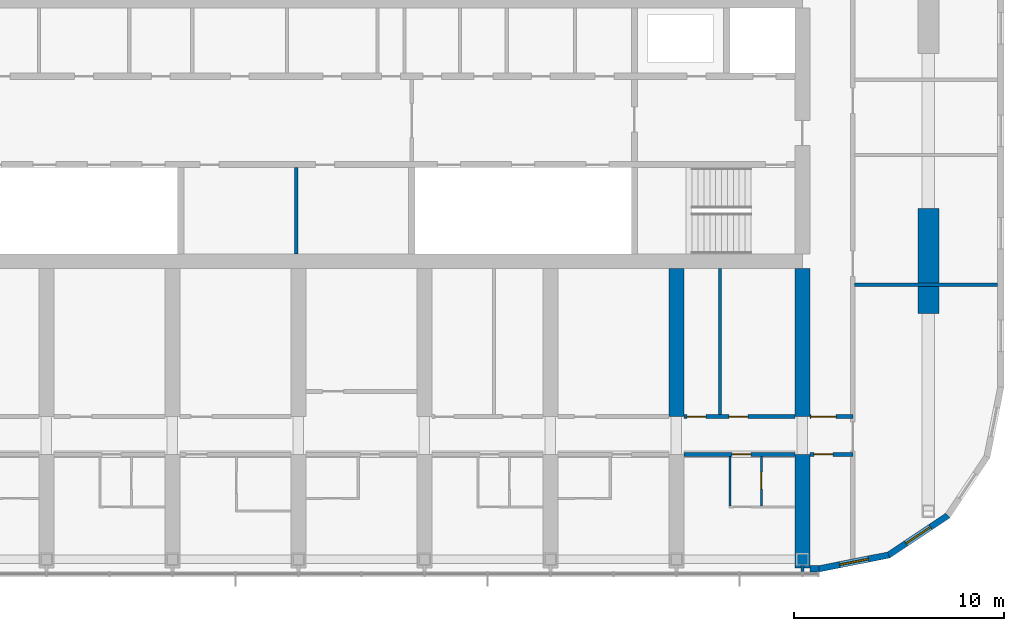
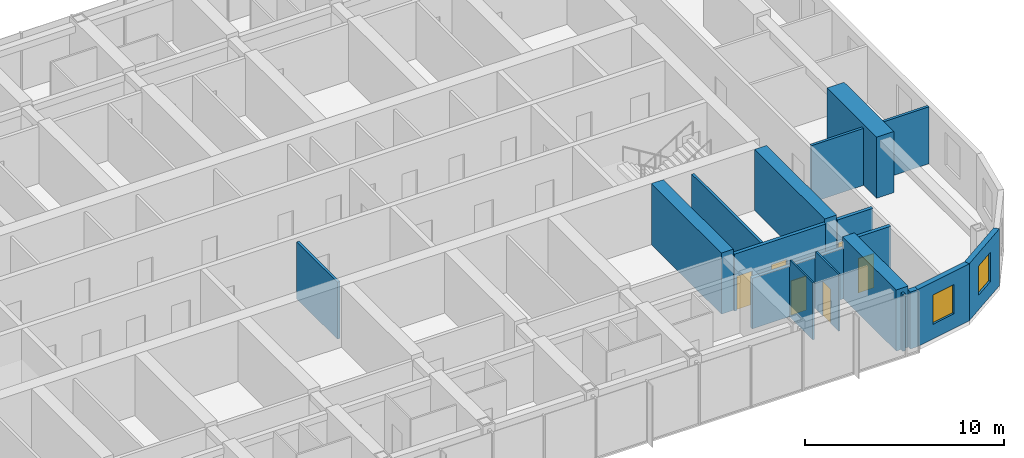
# One storey, part 13 of 23: 17 walls, 6 doors, 2 windows, 8 openings.
"""IFC4 building model written with IfcOpenShell, lengths in metres."""

from ifc_helpers import new_model, si_unit, direction, frame, frame_2d, origin, place, context, subcontext, project, spatial, polyline, rectangle, outline, extrude, material, layer, layer_set, type_object, element, fill, save


model = new_model("IFC4")

# Units and contexts
model_context = context("Model", 3, precision=1e-05, world=origin(), true_north=direction((0.0, 1.0)))
body_context = subcontext(model_context, "Body", "Model", "MODEL_VIEW")
ifc_project = project(units=[si_unit("LENGTHUNIT", "METRE"), si_unit("AREAUNIT", "SQUARE_METRE"), si_unit("VOLUMEUNIT", "CUBIC_METRE"), si_unit("PLANEANGLEUNIT", "RADIAN"), si_unit("MASSUNIT", "GRAM", prefix="KILO")], contexts=[model_context])

# Site, building, storey
site_placement = place(None, origin())
site = spatial("IfcSite", under=ifc_project, at=site_placement, CompositionType="ELEMENT")
building_placement = place(site_placement, origin())
building = spatial("IfcBuilding", under=site, at=building_placement, Name="Orbita Commons", CompositionType="ELEMENT")
storey_placement = place(building_placement, frame((0.0, 0.0, 224.050048828125)))
storey = spatial("IfcBuildingStorey", under=building, at=storey_placement, Name="L55", CompositionType="ELEMENT", Elevation=224.050048828125)

# Wall
ifc_material_1 = material(Name="Concrete blockwork", Category="masonry")
ifc_layer_1 = layer(ifc_material_1, 0.14990234375)
ifc_layer_set_1 = layer_set([ifc_layer_1], Name="Concrete blockwork")
wall_type_1 = type_object("IfcWallType", Name="Core partition 150 blockwork", PredefinedType="SOLIDWALL", material=ifc_layer_set_1)
wall_1_placement = place(storey_placement, frame((41.89990234375, 26.14990234375, 0.0), z_axis=(0.0, 0.0, 1.0), x_axis=(0.0, 1.0, 0.0)))
element("IfcWall", 1, at=wall_1_placement, inside=storey, type_object=wall_type_1, Name="Core partition 150 blockwork L55", PredefinedType="SOLIDWALL", context=body_context, shape_type="SweptSolid", body=[
    extrude(rectangle(XDim=4.10009765625, YDim=0.14990234375, at=frame_2d((2.050048828125, 0.0))), origin(), (0.0, 0.0, 1.0), 3.5),
])

# Wall, opening, door
ifc_material_2 = material(Name="Concrete blockwork", Category="masonry")
ifc_layer_2 = layer(ifc_material_2, 0.199951171875)
ifc_layer_set_2 = layer_set([ifc_layer_2], Name="Concrete blockwork")
wall_type_2 = type_object("IfcWallType", Name="Corridor wall 200 blockwork", PredefinedType="SOLIDWALL", material=ifc_layer_set_2)
wall_2_placement = place(storey_placement, frame((60.35009765625, 16.60009765625, 0.0), z_axis=(0.0, 0.0, 1.0), x_axis=(1.0, 0.0, 0.0)))
wall_2 = element("IfcWall", 2, at=wall_2_placement, inside=storey, type_object=wall_type_2, Name="Corridor wall 200 blockwork L55", PredefinedType="SOLIDWALL", context=body_context, shape_type="SweptSolid", body=[
    extrude(outline(polyline([(0.0, 0.0), (5.2998046875, 0.0), (5.300048828125, 3.099853515625), (0.0, 3.099853515625), (0.0, 0.0)])), frame((0.0, 0.10009765625, 0.0), z_axis=(0.0, -1.0, 0.0), x_axis=(1.0, 0.0, 0.0)), (0.0, 0.0, 1.0), 0.199951171875),
])
opening_1_placement = place(wall_2_placement, frame((2.300048828125, 0.0, 0.0)))
opening_1 = element("IfcOpeningElement", 3, at=opening_1_placement, cuts=wall_2, Name="Opening D11", PredefinedType="OPENING", context=body_context, shape_type="SweptSolid", body=[
    extrude(rectangle(XDim=0.89990234375, YDim=2.10009765625, at=frame_2d((0.449951171875, 1.050048828125))), frame((0.0, 0.10986328125, 0.0), z_axis=(0.0, -1.0, 0.0), x_axis=(1.0, 0.0, 0.0)), (0.0, 0.0, 1.0), 0.219970703125),
])
ifc_material_3 = material(Name="Steel-faced fire door leaf", Category="steel")
door_type_1 = type_object("IfcDoorType", Name="Corridor door 20 min 900x2100", OperationType="SINGLE_SWING_LEFT", PredefinedType="DOOR", material=ifc_material_3)
door_1_placement = place(opening_1_placement, origin())
door_1 = element("IfcDoor", 4, at=door_1_placement, inside=storey, type_object=door_type_1, Name="Studio flat L55-S14 entrance door", OperationType="SINGLE_SWING_LEFT", OverallHeight=2.10009765625, OverallWidth=0.89990234375, PredefinedType="DOOR", context=body_context, shape_type="SweptSolid", body=[
    extrude(rectangle(XDim=0.89990234375, YDim=2.10009765625, at=frame_2d((0.449951171875, 1.050048828125))), frame((0.0, 0.02490234375, 0.0), z_axis=(0.0, -1.0, 0.0), x_axis=(1.0, 0.0, 0.0)), (0.0, 0.0, 1.0), 0.050048828125),
])
fill(opening_1, door_1)

wall_3_placement = place(storey_placement, frame((66.35009765625, 16.60009765625, 0.0), z_axis=(0.0, 0.0, 1.0), x_axis=(1.0, 0.0, 0.0)))
wall_3 = element("IfcWall", 5, at=wall_3_placement, inside=storey, type_object=wall_type_2, Name="Corridor wall 200 blockwork L55", PredefinedType="SOLIDWALL", context=body_context, shape_type="SweptSolid", body=[
    extrude(rectangle(XDim=2.0498046875, YDim=0.199951171875, at=frame_2d((1.02490234375, 0.0))), origin(), (0.0, 0.0, 1.0), 3.5),
])
opening_2_placement = place(wall_3_placement, frame((0.199951171875, 0.0, 0.0)))
opening_2 = element("IfcOpeningElement", 6, at=opening_2_placement, cuts=wall_3, Name="Opening D05", PredefinedType="OPENING", context=body_context, shape_type="SweptSolid", body=[
    extrude(rectangle(XDim=0.89990234375, YDim=2.10009765625, at=frame_2d((0.449951171875, 1.050048828125))), frame((0.0, 0.10986328125, 0.0), z_axis=(0.0, -1.0, 0.0), x_axis=(1.0, 0.0, 0.0)), (0.0, 0.0, 1.0), 0.219970703125),
])
ifc_material_4 = material(Name="Steel-faced fire door leaf", Category="steel")
door_type_2 = type_object("IfcDoorType", Name="Service door 20 min 900x2100", OperationType="SINGLE_SWING_LEFT", PredefinedType="DOOR", material=ifc_material_4)
door_2_placement = place(opening_2_placement, origin())
door_2 = element("IfcDoor", 7, at=door_2_placement, inside=storey, type_object=door_type_2, Name="Linen store L55-KES door", OperationType="SINGLE_SWING_LEFT", OverallHeight=2.10009765625, OverallWidth=0.89990234375, PredefinedType="DOOR", context=body_context, shape_type="SweptSolid", body=[
    extrude(rectangle(XDim=0.89990234375, YDim=2.10009765625, at=frame_2d((0.449951171875, 1.050048828125))), frame((0.0, 0.02490234375, 0.0), z_axis=(0.0, -1.0, 0.0), x_axis=(1.0, 0.0, 0.0)), (0.0, 0.0, 1.0), 0.050048828125),
])
fill(opening_2, door_2)

# Wall, openings, doors
ifc_material_5 = material(Name="Hollow concrete block 200", Category="concrete")
ifc_layer_3 = layer(ifc_material_5, 0.199951171875)
ifc_layer_set_3 = layer_set([ifc_layer_3], Name="Hollow concrete block 200")
wall_type_3 = type_object("IfcWallType", Name="Corridor wall 200 hollow concrete block", PredefinedType="SOLIDWALL", material=ifc_layer_set_3)
wall_4_placement = place(storey_placement, frame((60.35009765625, 18.39990234375, 0.0), z_axis=(0.0, 0.0, 1.0), x_axis=(1.0, 0.0, 0.0)))
wall_4 = element("IfcWall", 8, at=wall_4_placement, inside=storey, type_object=wall_type_3, Name="Corridor wall 200 hollow concrete block L55", PredefinedType="SOLIDWALL", context=body_context, shape_type="SweptSolid", body=[
    extrude(rectangle(XDim=5.2998046875, YDim=0.199951171875, at=frame_2d((2.64990234375, 0.0))), origin(), (0.0, 0.0, 1.0), 3.5),
])
opening_3_placement = place(wall_4_placement, frame((0.14990234375, 0.0, 0.0)))
opening_3 = element("IfcOpeningElement", 9, at=opening_3_placement, cuts=wall_4, Name="Opening D11", PredefinedType="OPENING", context=body_context, shape_type="SweptSolid", body=[
    extrude(rectangle(XDim=0.89990234375, YDim=2.10009765625, at=frame_2d((0.449951171875, 1.050048828125))), frame((0.0, 0.10986328125, 0.0), z_axis=(0.0, -1.0, 0.0), x_axis=(1.0, 0.0, 0.0)), (0.0, 0.0, 1.0), 0.219970703125),
])
opening_4_placement = place(wall_4_placement, frame((2.14990234375, 0.0, 0.0)))
opening_4 = element("IfcOpeningElement", 10, at=opening_4_placement, cuts=wall_4, Name="Opening D11", PredefinedType="OPENING", context=body_context, shape_type="SweptSolid", body=[
    extrude(rectangle(XDim=0.89990234375, YDim=2.10009765625, at=frame_2d((0.449951171875, 1.050048828125))), frame((0.0, 0.10986328125, 0.0), z_axis=(0.0, -1.0, 0.0), x_axis=(1.0, 0.0, 0.0)), (0.0, 0.0, 1.0), 0.219970703125),
])
door_3_placement = place(opening_3_placement, origin())
door_3 = element("IfcDoor", 11, at=door_3_placement, inside=storey, type_object=door_type_1, Name="Equipment store L55-BDS60n door", OperationType="SINGLE_SWING_LEFT", OverallHeight=2.10009765625, OverallWidth=0.89990234375, PredefinedType="DOOR", context=body_context, shape_type="SweptSolid", body=[
    extrude(rectangle(XDim=0.89990234375, YDim=2.10009765625, at=frame_2d((0.449951171875, 1.050048828125))), frame((0.0, 0.02490234375, 0.0), z_axis=(0.0, -1.0, 0.0), x_axis=(1.0, 0.0, 0.0)), (0.0, 0.0, 1.0), 0.050048828125),
])
fill(opening_3, door_3)
door_4_placement = place(opening_4_placement, origin())
door_4 = element("IfcDoor", 12, at=door_4_placement, inside=storey, type_object=door_type_1, Name="Ventilation plant room north L55-BDS60 door", OperationType="SINGLE_SWING_LEFT", OverallHeight=2.10009765625, OverallWidth=0.89990234375, PredefinedType="DOOR", context=body_context, shape_type="SweptSolid", body=[
    extrude(rectangle(XDim=0.89990234375, YDim=2.10009765625, at=frame_2d((0.449951171875, 1.050048828125))), frame((0.0, 0.02490234375, 0.0), z_axis=(0.0, -1.0, 0.0), x_axis=(1.0, 0.0, 0.0)), (0.0, 0.0, 1.0), 0.050048828125),
])
fill(opening_4, door_4)

# Wall, opening, door
wall_5_placement = place(storey_placement, frame((66.35009765625, 18.39990234375, 0.0), z_axis=(0.0, 0.0, 1.0), x_axis=(1.0, 0.0, 0.0)))
wall_5 = element("IfcWall", 13, at=wall_5_placement, inside=storey, type_object=wall_type_3, Name="Corridor wall 200 hollow concrete block L55", PredefinedType="SOLIDWALL", context=body_context, shape_type="SweptSolid", body=[
    extrude(rectangle(XDim=2.0498046875, YDim=0.199951171875, at=frame_2d((1.02490234375, 0.0))), origin(), (0.0, 0.0, 1.0), 3.5),
])
opening_5_placement = place(wall_5_placement, frame((0.050048828125, 0.0, 0.0)))
opening_5 = element("IfcOpeningElement", 14, at=opening_5_placement, cuts=wall_5, Name="Opening D12", PredefinedType="OPENING", context=body_context, shape_type="SweptSolid", body=[
    extrude(rectangle(XDim=1.199951171875, YDim=2.10009765625, at=frame_2d((0.60009765625, 1.050048828125))), frame((0.0, 0.10986328125, 0.0), z_axis=(0.0, -1.0, 0.0), x_axis=(1.0, 0.0, 0.0)), (0.0, 0.0, 1.0), 0.219970703125),
])
ifc_material_6 = material(Name="Steel-faced fire door leaf", Category="steel")
door_type_3 = type_object("IfcDoorType", Name="Double corridor door 20 min 1200x2100", OperationType="DOUBLE_DOOR_SINGLE_SWING", PredefinedType="DOOR", material=ifc_material_6)
door_5_placement = place(opening_5_placement, origin())
door_5 = element("IfcDoor", 15, at=door_5_placement, inside=storey, type_object=door_type_3, Name="Cross corridor doors", OperationType="DOUBLE_DOOR_SINGLE_SWING", OverallHeight=2.10009765625, OverallWidth=1.199951171875, PredefinedType="DOOR", context=body_context, shape_type="SweptSolid", body=[
    extrude(rectangle(XDim=1.199951171875, YDim=2.10009765625, at=frame_2d((0.60009765625, 1.050048828125))), frame((0.0, 0.02490234375, 0.0), z_axis=(0.0, -1.0, 0.0), x_axis=(1.0, 0.0, 0.0)), (0.0, 0.0, 1.0), 0.050048828125),
])
fill(opening_5, door_5)

# Walls
ifc_material_7 = material(Name="Concrete C50/60", Category="concrete")
ifc_layer_4 = layer(ifc_material_7, 0.699951171875)
ifc_layer_set_4 = layer_set([ifc_layer_4], Name="Concrete C50/60")
wall_type_4 = type_object("IfcWallType", Name="Cross wall 700 C50/60", PredefinedType="SHEAR", material=ifc_layer_set_4)
wall_6_placement = place(storey_placement, frame((60.0, 18.39990234375, 0.0), z_axis=(0.0, 0.0, 1.0), x_axis=(0.0, 1.0, 0.0)))
element("IfcWall", 16, at=wall_6_placement, inside=storey, type_object=wall_type_4, Name="Cross wall 11 south inner L55", PredefinedType="SHEAR", context=body_context, shape_type="SweptSolid", body=[
    extrude(rectangle(XDim=7.050048828125, YDim=0.699951171875, at=frame_2d((3.52490234375, 0.0))), origin(), (0.0, 0.0, 1.0), 3.75),
])
wall_7_placement = place(storey_placement, frame((66.0, 11.199951171875, 0.0), z_axis=(0.0, 0.0, 1.0), x_axis=(0.0, 1.0, 0.0)))
element("IfcWall", 17, at=wall_7_placement, inside=storey, type_object=wall_type_4, Name="Cross wall 12 south outer L55", PredefinedType="SHEAR", context=body_context, shape_type="SweptSolid", body=[
    extrude(rectangle(XDim=5.400146484375, YDim=0.699951171875, at=frame_2d((2.7001953125, 0.0))), origin(), (0.0, 0.0, 1.0), 3.75),
])
wall_8_placement = place(storey_placement, frame((66.0, 18.39990234375, 0.0), z_axis=(0.0, 0.0, 1.0), x_axis=(0.0, 1.0, 0.0)))
element("IfcWall", 18, at=wall_8_placement, inside=storey, type_object=wall_type_4, Name="Cross wall 12 south inner L55", PredefinedType="SHEAR", context=body_context, shape_type="SweptSolid", body=[
    extrude(rectangle(XDim=7.050048828125, YDim=0.699951171875, at=frame_2d((3.52490234375, 0.0))), origin(), (0.0, 0.0, 1.0), 3.75),
])
ifc_material_8 = material(Name="Moisture-resistant plasterboard on steel studs", Category="steel")
ifc_layer_5 = layer(ifc_material_8, 0.10009765625)
ifc_layer_set_5 = layer_set([ifc_layer_5], Name="Moisture-resistant plasterboard on steel studs")
wall_type_5 = type_object("IfcWallType", Name="En-suite partition 100", PredefinedType="PARTITIONING", material=ifc_layer_set_5)
wall_9_placement = place(storey_placement, frame((62.550048828125, 14.14990234375, 0.0), z_axis=(0.0, 0.0, 1.0), x_axis=(0.0, 1.0, 0.0)))
element("IfcWall", 19, at=wall_9_placement, inside=storey, type_object=wall_type_5, Name="En-suite partition 100 L55", PredefinedType="PARTITIONING", context=body_context, shape_type="SweptSolid", body=[
    extrude(outline(polyline([(0.0, 0.0), (2.35009765625, 0.0), (2.35009765625, 3.099853515625), (2.302001953125, 3.099853515625), (2.300048828125, 3.5), (0.0, 3.5), (0.0, 0.0)])), frame((0.0, 0.050048828125, 0.0), z_axis=(0.0, -1.0, 0.0), x_axis=(1.0, 0.0, 0.0)), (0.0, 0.0, 1.0), 0.10009765625),
])

# Wall, opening, door
wall_10_placement = place(storey_placement, frame((64.050048828125, 14.14990234375, 0.0), z_axis=(0.0, 0.0, 1.0), x_axis=(0.0, 1.0, 0.0)))
wall_10 = element("IfcWall", 20, at=wall_10_placement, inside=storey, type_object=wall_type_5, Name="En-suite partition 100 L55", PredefinedType="PARTITIONING", context=body_context, shape_type="SweptSolid", body=[
    extrude(outline(polyline([(0.0, 0.0), (2.35009765625, 0.0), (2.35009765625, 3.099853515625), (2.302001953125, 3.099853515625), (2.300048828125, 3.5), (0.0, 3.5), (0.0, 0.0)])), frame((0.0, 0.050048828125, 0.0), z_axis=(0.0, -1.0, 0.0), x_axis=(1.0, 0.0, 0.0)), (0.0, 0.0, 1.0), 0.10009765625),
])
opening_6_placement = place(wall_10_placement, frame((0.800048828125, 0.0, 0.0)))
opening_6 = element("IfcOpeningElement", 21, at=opening_6_placement, cuts=wall_10, Name="Opening D16", PredefinedType="OPENING", context=body_context, shape_type="SweptSolid", body=[
    extrude(rectangle(XDim=0.800048828125, YDim=2.10009765625, at=frame_2d((0.39990234375, 1.050048828125))), frame((0.0, 0.06005859375, 0.0), z_axis=(0.0, -1.0, 0.0), x_axis=(1.0, 0.0, 0.0)), (0.0, 0.0, 1.0), 0.1201171875),
])
ifc_material_9 = material(Name="Laminated timber door leaf", Category="wood")
door_type_4 = type_object("IfcDoorType", Name="En-suite door 800x2100", OperationType="SINGLE_SWING_RIGHT", PredefinedType="DOOR", material=ifc_material_9)
door_6_placement = place(opening_6_placement, origin())
door_6 = element("IfcDoor", 22, at=door_6_placement, inside=storey, type_object=door_type_4, Name="Studio flat shower room L55-S14 door", OperationType="SINGLE_SWING_RIGHT", OverallHeight=2.10009765625, OverallWidth=0.800048828125, PredefinedType="DOOR", context=body_context, shape_type="SweptSolid", body=[
    extrude(rectangle(XDim=0.800048828125, YDim=2.10009765625, at=frame_2d((0.39990234375, 1.050048828125))), frame((0.0, 0.02490234375, 0.0), z_axis=(0.0, -1.0, 0.0), x_axis=(1.0, 0.0, 0.0)), (0.0, 0.0, 1.0), 0.050048828125),
])
fill(opening_6, door_6)

# Walls
ifc_material_10 = material(Name="Concrete C50/60", Category="concrete")
ifc_layer_6 = layer(ifc_material_10, 1.0)
ifc_layer_set_6 = layer_set([ifc_layer_6], Name="Concrete C50/60")
wall_type_6 = type_object("IfcWallType", Name="End pier 1000x5000 C50/60", PredefinedType="SHEAR", material=ifc_layer_set_6)
wall_11_placement = place(storey_placement, frame((72.0, 23.300048828125, 0.0), z_axis=(0.0, 0.0, 1.0), x_axis=(0.0, 1.0, 0.0)))
element("IfcWall", 23, at=wall_11_placement, inside=storey, type_object=wall_type_6, Name="End pier 13/C L55", PredefinedType="SHEAR", context=body_context, shape_type="SweptSolid", body=[
    extrude(rectangle(XDim=5.0, YDim=1.0, at=frame_2d((2.5, 0.0))), origin(), (0.0, 0.0, 1.0), 3.75),
])
ifc_material_11 = material(Name="Gypsum plasterboard on steel studs", Category="steel")
ifc_layer_7 = layer(ifc_material_11, 0.14990234375)
ifc_layer_set_7 = layer_set([ifc_layer_7], Name="Gypsum plasterboard on steel studs")
wall_type_7 = type_object("IfcWallType", Name="Partition 150 plasterboard", PredefinedType="PARTITIONING", material=ifc_layer_set_7)
wall_12_placement = place(storey_placement, frame((62.074951171875, 18.5, 0.0), z_axis=(0.0, 0.0, 1.0), x_axis=(0.0, 1.0, 0.0)))
element("IfcWall", 24, at=wall_12_placement, inside=storey, type_object=wall_type_7, Name="Partition 150 plasterboard L55", PredefinedType="PARTITIONING", context=body_context, shape_type="SweptSolid", body=[
    extrude(rectangle(XDim=6.949951171875, YDim=0.14990234375, at=frame_2d((3.47509765625, 0.0))), origin(), (0.0, 0.0, 1.0), 3.5),
])
wall_13_placement = place(storey_placement, frame((68.47509765625, 24.679931640625, 0.0), z_axis=(0.0, 0.0, 1.0), x_axis=(1.0, 0.0, 0.0)))
element("IfcWall", 25, at=wall_13_placement, inside=storey, type_object=wall_type_7, Name="Partition 150 plasterboard L55", PredefinedType="PARTITIONING", context=body_context, shape_type="SweptSolid", body=[
    extrude(rectangle(XDim=6.81982421875, YDim=0.14990234375, at=frame_2d((3.409912109375, 0.0))), origin(), (0.0, 0.0, 1.0), 3.5),
])
wall_14_placement = place(storey_placement, frame((66.0, 11.300048828125, 0.0), z_axis=(0.0, 0.0, 1.0), x_axis=(0.0, -1.0, 0.0)))
element("IfcWall", 26, at=wall_14_placement, inside=storey, type_object=wall_type_7, Name="Partition 150 plasterboard L55", PredefinedType="PARTITIONING", context=body_context, shape_type="SweptSolid", body=[
    extrude(rectangle(XDim=0.2900390625, YDim=0.14990234375, at=frame_2d((0.14501953125, 0.0))), origin(), (0.0, 0.0, 1.0), 3.5),
])

# Wall, opening, window
ifc_material_12 = material(Name="Precast concrete C40/50, white board-marked finish", Category="concrete")
ifc_layer_8 = layer(ifc_material_12, 0.300048828125)
ifc_layer_set_8 = layer_set([ifc_layer_8], Name="Precast concrete C40/50, white board-marked finish")
wall_type_8 = type_object("IfcWallType", Name="Precast concrete end shield 300", PredefinedType="SOLIDWALL", material=ifc_layer_set_8)
wall_15_placement = place(storey_placement, frame((66.800048828125, 11.14990234375, 0.0), z_axis=(0.0, 0.0, 1.0), x_axis=(0.98078325777, 0.195100490205, 0.0)))
wall_15 = element("IfcWall", 27, at=wall_15_placement, inside=storey, type_object=wall_type_8, Name="End shield SE chord 1 L55", PredefinedType="SOLIDWALL", context=body_context, shape_type="SweptSolid", body=[
    extrude(outline(polyline([(-0.02978515625, -0.14990234375), (3.40478515625, -0.14990234375), (3.34521484375, 0.14990234375), (0.02978515625, 0.14990234375), (-0.02978515625, -0.14990234375)])), origin(), (0.0, 0.0, 1.0), 3.5),
])
opening_7_placement = place(wall_15_placement, frame((0.987548828125, 0.0, 0.89990234375)))
opening_7 = element("IfcOpeningElement", 28, at=opening_7_placement, cuts=wall_15, Name="Opening W02", PredefinedType="OPENING", context=body_context, shape_type="SweptSolid", body=[
    extrude(rectangle(XDim=1.39990234375, YDim=1.800048828125, at=frame_2d((0.699951171875, 0.89990234375))), frame((0.0, 0.159912109375, 0.0), z_axis=(0.0, -1.0, 0.0), x_axis=(1.0, 0.0, 0.0)), (0.0, 0.0, 1.0), 0.320068359375),
])
ifc_material_13 = material(Name="Aluminium frame, clear double glazing", Category="aluminium")
window_type = type_object("IfcWindowType", Name="Deep-set window 1400x1800", PartitioningType="SINGLE_PANEL", PredefinedType="WINDOW", material=ifc_material_13)
window_1_placement = place(opening_7_placement, origin())
window_1 = element("IfcWindow", 29, at=window_1_placement, inside=storey, type_object=window_type, Name="Window L55-SE0", OverallHeight=1.800048828125, OverallWidth=1.39990234375, PartitioningType="SINGLE_PANEL", PredefinedType="WINDOW", context=body_context, shape_type="SweptSolid", body=[
    extrude(rectangle(XDim=1.39990234375, YDim=1.800048828125, at=frame_2d((0.699951171875, 0.89990234375))), frame((0.0, 0.030029296875, 0.0), z_axis=(0.0, -1.0, 0.0), x_axis=(1.0, 0.0, 0.0)), (0.0, 0.0, 1.0), 0.06005859375),
])
fill(opening_7, window_1)

wall_16_placement = place(storey_placement, frame((70.110107421875, 11.808349609375, 0.0), z_axis=(0.0, 0.0, 1.0), x_axis=(0.831460037396, 0.555584562613, 0.0)))
wall_16 = element("IfcWall", 30, at=wall_16_placement, inside=storey, type_object=wall_type_8, Name="End shield SE chord 2 L55", PredefinedType="SOLIDWALL", context=body_context, shape_type="SweptSolid", body=[
    extrude(outline(polyline([(-0.02978515625, -0.14990234375), (3.405029296875, -0.14990234375), (3.345458984375, 0.14990234375), (0.02978515625, 0.14990234375), (-0.02978515625, -0.14990234375)])), origin(), (0.0, 0.0, 1.0), 3.5),
])
opening_8_placement = place(wall_16_placement, frame((0.987548828125, 0.0, 0.89990234375)))
opening_8 = element("IfcOpeningElement", 31, at=opening_8_placement, cuts=wall_16, Name="Opening W02", PredefinedType="OPENING", context=body_context, shape_type="SweptSolid", body=[
    extrude(rectangle(XDim=1.39990234375, YDim=1.800048828125, at=frame_2d((0.699951171875, 0.89990234375))), frame((0.0, 0.159912109375, 0.0), z_axis=(0.0, -1.0, 0.0), x_axis=(1.0, 0.0, 0.0)), (0.0, 0.0, 1.0), 0.320068359375),
])
window_2_placement = place(opening_8_placement, origin())
window_2 = element("IfcWindow", 32, at=window_2_placement, inside=storey, type_object=window_type, Name="Window L55-SE1", OverallHeight=1.800048828125, OverallWidth=1.39990234375, PartitioningType="SINGLE_PANEL", PredefinedType="WINDOW", context=body_context, shape_type="SweptSolid", body=[
    extrude(rectangle(XDim=1.39990234375, YDim=1.800048828125, at=frame_2d((0.699951171875, 0.89990234375))), frame((0.0, 0.030029296875, 0.0), z_axis=(0.0, -1.0, 0.0), x_axis=(1.0, 0.0, 0.0)), (0.0, 0.0, 1.0), 0.06005859375),
])
fill(opening_8, window_2)

# Wall
wall_17_placement = place(storey_placement, frame((66.800048828125, 11.14990234375, 0.0), z_axis=(0.0, 0.0, 1.0), x_axis=(-1.0, 0.0, 0.0)))
element("IfcWall", 33, at=wall_17_placement, inside=storey, type_object=wall_type_8, Name="End shield SE closer L55", PredefinedType="SOLIDWALL", context=body_context, shape_type="SweptSolid", body=[
    extrude(rectangle(XDim=0.449951171875, YDim=0.300048828125, at=frame_2d((0.22509765625, 0.0))), origin(), (0.0, 0.0, 1.0), 3.5),
])

save(model, "model.ifc")
